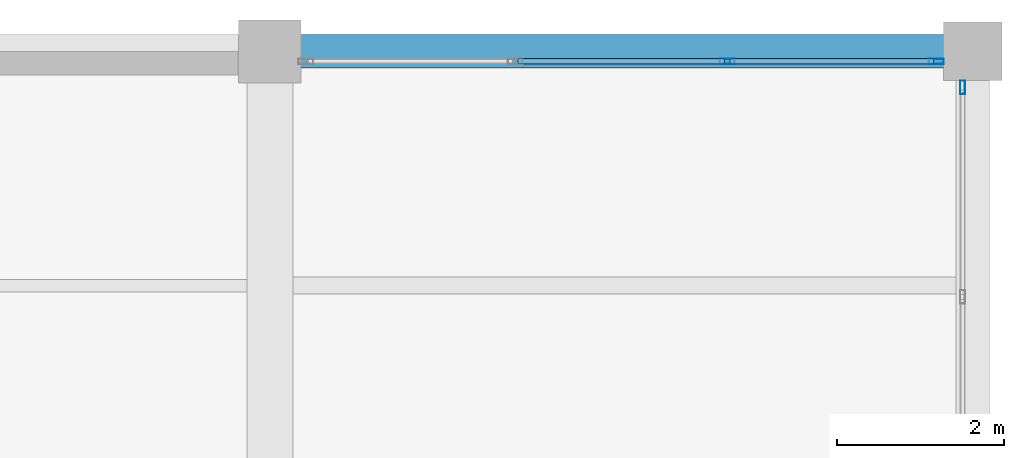
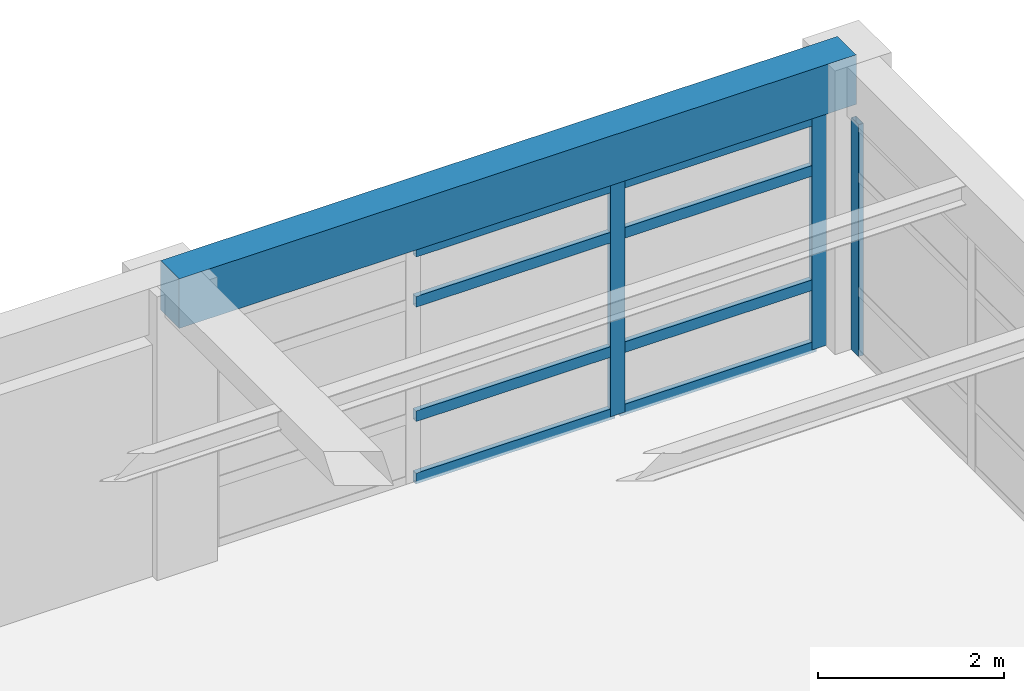
# One storey, part 21 of 26: 11 members, 1 beam, 2 elements without a shape of their own.
"""IFC4 building model written with IfcOpenShell, lengths in metres."""

from ifc_helpers import new_model, si_unit, direction, frame, origin, origin_2d, place, context, subcontext, project, spatial, rectangle, hollow_rectangle, extrude, material, material_profile, profile_set, type_object, element, aggregate, save


model = new_model("IFC4")

# Units and contexts
model_context = context("Model", 3, precision=1e-05, world=origin(), true_north=direction((0.0, 1.0)))
body_context = subcontext(model_context, "Body", "Model", "MODEL_VIEW")
ifc_project = project(units=[si_unit("LENGTHUNIT", "METRE"), si_unit("AREAUNIT", "SQUARE_METRE"), si_unit("VOLUMEUNIT", "CUBIC_METRE"), si_unit("PLANEANGLEUNIT", "RADIAN"), si_unit("MASSUNIT", "GRAM", prefix="KILO")], contexts=[model_context])

# Site, building, storey
site_placement = place(None, origin())
site = spatial("IfcSite", under=ifc_project, at=site_placement, CompositionType="ELEMENT")
building_placement = place(site_placement, origin())
building = spatial("IfcBuilding", under=site, at=building_placement, Name="Almacenes y Pasaje Nevantli", CompositionType="ELEMENT")
storey_placement = place(building_placement, frame((0.0, 0.0, 38.699951171875)))
storey = spatial("IfcBuildingStorey", under=building, at=storey_placement, Name="L09", CompositionType="ELEMENT", Elevation=38.699951171875)

# Beam
ifc_material_1 = material(Name="Concrete C35/45", Category="concrete")
ifc_material_profile_1 = material_profile(ifc_material_1, rectangle(XDim=0.39990234375, YDim=0.64990234375, at=origin_2d()), Name="RC-BM-400x650")
ifc_profile_set_1 = profile_set([ifc_material_profile_1], Name="Concrete C35/45")
beam_type = type_object("IfcBeamType", Name="BM-RC-400x650", PredefinedType="SPANDREL", material=ifc_profile_set_1)
beam_placement = place(storey_placement, frame((151.199951171875, 100.800048828125, 3.39501953125), z_axis=(1.0, 0.0, 0.0), x_axis=(0.0, 1.0, 0.0)))
element("IfcBeam", 1, at=beam_placement, inside=storey, type_object=beam_type, Name="L09 East-West Reinforced Concrete Beam #3770", PredefinedType="SPANDREL", context=body_context, shape_type="SweptSolid", body=[
    extrude(rectangle(XDim=0.39990234375, YDim=0.64990234375, at=origin_2d()), origin(), (0.0, 0.0, 1.0), 8.400146484375),
])

# Curtain wall, member
ifc_material_2 = material(Name="Thermally Broken Aluminium and Low-E Glass", Category="aluminium")
curtain_wall_type = type_object("IfcCurtainWallType", Name="CW-UNIT-TOWER", PredefinedType="USERDEFINED", material=ifc_material_2)
curtain_wall_1_placement = place(storey_placement, origin())
curtain_wall_1 = element("IfcCurtainWall", 2, at=curtain_wall_1_placement, inside=storey, type_object=curtain_wall_type, Name="L09 Tower East Curtain Wall Bay 12", ObjectType="UNITIZED CURTAIN WALL", PredefinedType="USERDEFINED")
ifc_material_3 = material(Name="Thermally Broken Anodized Aluminium", Category="aluminium")
ifc_material_profile_2 = material_profile(ifc_material_3, hollow_rectangle(XDim=0.06005859375, YDim=0.159912109375, WallThickness=0.00390625, at=origin_2d()), Name="ALU-MUL-60x160")
ifc_profile_set_2 = profile_set([ifc_material_profile_2], Name="Thermally Broken Anodized Aluminium")
member_type_1 = type_object("IfcMemberType", Name="CW-MUL-180", PredefinedType="MULLION", material=ifc_profile_set_2)
member_1_placement = place(storey_placement, frame((159.47998046875, 100.3701171875, 0.0), z_axis=(0.0, 0.0, 1.0), x_axis=(-1.0, 0.0, 0.0)))
member_1 = element("IfcMember", 3, at=member_1_placement, type_object=member_type_1, Name="CW-L09-140 mullion 4", PredefinedType="MULLION", context=body_context, shape_type="SweptSolid", body=[
    extrude(hollow_rectangle(XDim=0.06005859375, YDim=0.159912109375, WallThickness=0.00390625, at=origin_2d()), origin(), (0.0, 0.0, 1.0), 3.0400390625),
])
aggregate(curtain_wall_1, [member_1])

# Curtain wall, members
curtain_wall_2_placement = place(storey_placement, origin())
curtain_wall_2 = element("IfcCurtainWall", 4, at=curtain_wall_2_placement, inside=storey, type_object=curtain_wall_type, Name="L09 Tower North Boulevard Unitized Curtain Wall Bay 19", ObjectType="UNITIZED CURTAIN WALL", PredefinedType="USERDEFINED")
ifc_material_4 = material(Name="Thermally Broken Anodized Aluminium", Category="aluminium")
ifc_material_profile_3 = material_profile(ifc_material_4, hollow_rectangle(XDim=0.06494140625, YDim=0.179931640625, WallThickness=0.00390625, at=origin_2d()), Name="ALU-MUL-65x180")
ifc_profile_set_3 = profile_set([ifc_material_profile_3], Name="Thermally Broken Anodized Aluminium")
member_type_2 = type_object("IfcMemberType", Name="CW-MUL-200", PredefinedType="MULLION", material=ifc_profile_set_3)
member_2_placement = place(storey_placement, frame((156.666748046875, 100.679931640625, 0.0), z_axis=(0.0, 0.0, 1.0), x_axis=(0.0, 1.0, 0.0)))
member_2 = element("IfcMember", 5, at=member_2_placement, type_object=member_type_2, Name="CW-L09-136 mullion 3", PredefinedType="MULLION", context=body_context, shape_type="SweptSolid", body=[
    extrude(hollow_rectangle(XDim=0.06494140625, YDim=0.179931640625, WallThickness=0.00390625, at=origin_2d()), origin(), (0.0, 0.0, 1.0), 3.0400390625),
])
member_3_placement = place(storey_placement, frame((159.16748046875, 100.679931640625, 0.0), z_axis=(0.0, 0.0, 1.0), x_axis=(0.0, 1.0, 0.0)))
member_3 = element("IfcMember", 6, at=member_3_placement, type_object=member_type_2, Name="CW-L09-136 mullion 4", PredefinedType="MULLION", context=body_context, shape_type="SweptSolid", body=[
    extrude(hollow_rectangle(XDim=0.06494140625, YDim=0.179931640625, WallThickness=0.00390625, at=origin_2d()), origin(), (0.0, 0.0, 1.0), 3.0400390625),
])
ifc_material_5 = material(Name="Thermally Broken Anodized Aluminium", Category="aluminium")
ifc_material_profile_4 = material_profile(ifc_material_5, hollow_rectangle(XDim=0.06494140625, YDim=0.139892578125, WallThickness=0.00390625, at=origin_2d()), Name="ALU-TRN-65x140")
ifc_profile_set_4 = profile_set([ifc_material_profile_4], Name="Thermally Broken Anodized Aluminium")
member_type_3 = type_object("IfcMemberType", Name="CW-TRN-150", PredefinedType="USERDEFINED", material=ifc_profile_set_4)
member_4_placement = place(storey_placement, frame((154.165771484375, 100.679931640625, 0.032470703125), z_axis=(1.0, 0.0, 0.0), x_axis=(0.0, 1.0, 0.0)))
member_4 = element("IfcMember", 7, at=member_4_placement, type_object=member_type_3, Name="CW-L09-136 transom 2.1", ObjectType="TRANSOM", PredefinedType="USERDEFINED", context=body_context, shape_type="SweptSolid", body=[
    extrude(hollow_rectangle(XDim=0.06494140625, YDim=0.139892578125, WallThickness=0.00390625, at=origin_2d()), origin(), (0.0, 0.0, 1.0), 2.468505859375),
])
member_5_placement = place(storey_placement, frame((154.165771484375, 100.679931640625, 0.85009765625), z_axis=(1.0, 0.0, 0.0), x_axis=(0.0, 1.0, 0.0)))
member_5 = element("IfcMember", 8, at=member_5_placement, type_object=member_type_3, Name="CW-L09-136 transom 2.2", ObjectType="TRANSOM", PredefinedType="USERDEFINED", context=body_context, shape_type="SweptSolid", body=[
    extrude(hollow_rectangle(XDim=0.06494140625, YDim=0.139892578125, WallThickness=0.00390625, at=origin_2d()), origin(), (0.0, 0.0, 1.0), 2.468505859375),
])
member_6_placement = place(storey_placement, frame((154.165771484375, 100.679931640625, 2.35009765625), z_axis=(1.0, 0.0, 0.0), x_axis=(0.0, 1.0, 0.0)))
member_6 = element("IfcMember", 9, at=member_6_placement, type_object=member_type_3, Name="CW-L09-136 transom 2.3", ObjectType="TRANSOM", PredefinedType="USERDEFINED", context=body_context, shape_type="SweptSolid", body=[
    extrude(hollow_rectangle(XDim=0.06494140625, YDim=0.139892578125, WallThickness=0.00390625, at=origin_2d()), origin(), (0.0, 0.0, 1.0), 2.468505859375),
])
member_7_placement = place(storey_placement, frame((154.165771484375, 100.679931640625, 3.007568359375), z_axis=(1.0, 0.0, 0.0), x_axis=(0.0, 1.0, 0.0)))
member_7 = element("IfcMember", 10, at=member_7_placement, type_object=member_type_3, Name="CW-L09-136 transom 2.4", ObjectType="TRANSOM", PredefinedType="USERDEFINED", context=body_context, shape_type="SweptSolid", body=[
    extrude(hollow_rectangle(XDim=0.06494140625, YDim=0.139892578125, WallThickness=0.00390625, at=origin_2d()), origin(), (0.0, 0.0, 1.0), 2.468505859375),
])
member_8_placement = place(storey_placement, frame((156.69921875, 100.679931640625, 0.032470703125), z_axis=(1.0, 0.0, 0.0), x_axis=(0.0, 1.0, 0.0)))
member_8 = element("IfcMember", 11, at=member_8_placement, type_object=member_type_3, Name="CW-L09-136 transom 3.1", ObjectType="TRANSOM", PredefinedType="USERDEFINED", context=body_context, shape_type="SweptSolid", body=[
    extrude(hollow_rectangle(XDim=0.06494140625, YDim=0.139892578125, WallThickness=0.00390625, at=origin_2d()), origin(), (0.0, 0.0, 1.0), 2.435791015625),
])
member_9_placement = place(storey_placement, frame((156.69921875, 100.679931640625, 0.85009765625), z_axis=(1.0, 0.0, 0.0), x_axis=(0.0, 1.0, 0.0)))
member_9 = element("IfcMember", 12, at=member_9_placement, type_object=member_type_3, Name="CW-L09-136 transom 3.2", ObjectType="TRANSOM", PredefinedType="USERDEFINED", context=body_context, shape_type="SweptSolid", body=[
    extrude(hollow_rectangle(XDim=0.06494140625, YDim=0.139892578125, WallThickness=0.00390625, at=origin_2d()), origin(), (0.0, 0.0, 1.0), 2.435791015625),
])
member_10_placement = place(storey_placement, frame((156.69921875, 100.679931640625, 2.35009765625), z_axis=(1.0, 0.0, 0.0), x_axis=(0.0, 1.0, 0.0)))
member_10 = element("IfcMember", 13, at=member_10_placement, type_object=member_type_3, Name="CW-L09-136 transom 3.3", ObjectType="TRANSOM", PredefinedType="USERDEFINED", context=body_context, shape_type="SweptSolid", body=[
    extrude(hollow_rectangle(XDim=0.06494140625, YDim=0.139892578125, WallThickness=0.00390625, at=origin_2d()), origin(), (0.0, 0.0, 1.0), 2.435791015625),
])
member_11_placement = place(storey_placement, frame((156.69921875, 100.679931640625, 3.007568359375), z_axis=(1.0, 0.0, 0.0), x_axis=(0.0, 1.0, 0.0)))
member_11 = element("IfcMember", 14, at=member_11_placement, type_object=member_type_3, Name="CW-L09-136 transom 3.4", ObjectType="TRANSOM", PredefinedType="USERDEFINED", context=body_context, shape_type="SweptSolid", body=[
    extrude(hollow_rectangle(XDim=0.06494140625, YDim=0.139892578125, WallThickness=0.00390625, at=origin_2d()), origin(), (0.0, 0.0, 1.0), 2.435791015625),
])
aggregate(curtain_wall_2, [member_2, member_3, member_4, member_5, member_6, member_7, member_8, member_9, member_10, member_11])

save(model, "model.ifc")
